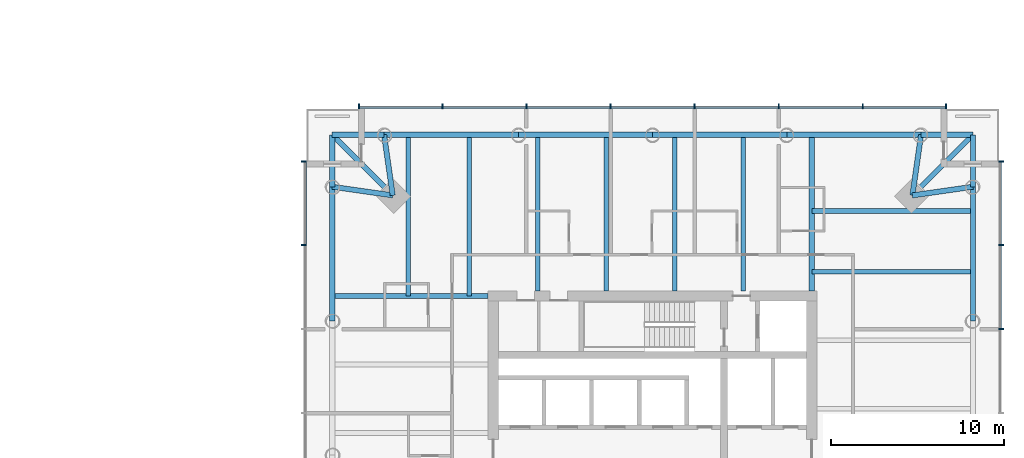
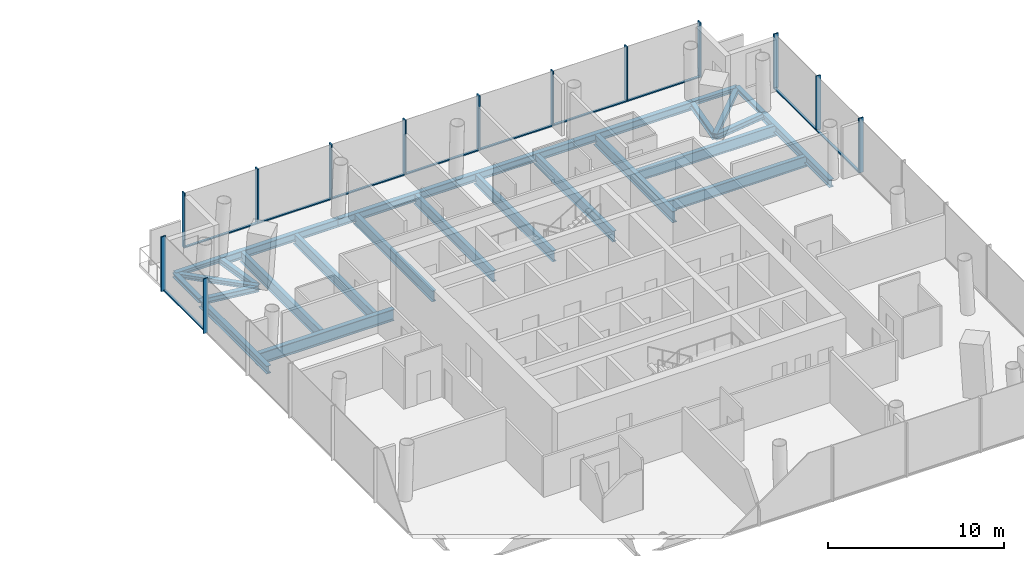
# One storey, part 7 of 21: 26 beams, 23 members, 3 elements without a shape of their own.
"""IFC4 building model written with IfcOpenShell, lengths in metres."""

from ifc_helpers import new_model, si_unit, direction, frame, origin, origin_2d, place, context, subcontext, project, spatial, rectangle, i_section, extrude, material, material_profile, profile_set, type_object, element, aggregate, save


model = new_model("IFC4")

# Units and contexts
model_context = context("Model", 3, precision=1e-05, world=origin(), true_north=direction((0.0, 1.0)))
body_context = subcontext(model_context, "Body", "Model", "MODEL_VIEW")
ifc_project = project(units=[si_unit("LENGTHUNIT", "METRE"), si_unit("AREAUNIT", "SQUARE_METRE"), si_unit("VOLUMEUNIT", "CUBIC_METRE"), si_unit("PLANEANGLEUNIT", "RADIAN"), si_unit("MASSUNIT", "GRAM", prefix="KILO")], contexts=[model_context])

# Site, building, storey
site_placement = place(None, origin())
site = spatial("IfcSite", under=ifc_project, at=site_placement, CompositionType="ELEMENT")
building_placement = place(site_placement, origin())
building = spatial("IfcBuilding", under=site, at=building_placement, Name="Ostroluk Exchange", CompositionType="ELEMENT")
storey_placement = place(building_placement, frame((0.0, 0.0, 32.39990234375)))
storey = spatial("IfcBuildingStorey", under=building, at=storey_placement, Name="L07", CompositionType="ELEMENT", Elevation=32.39990234375)

# Beams
ifc_material_1 = material(Name="Steel S355", Category="steel")
ifc_material_profile_1 = material_profile(ifc_material_1, i_section(OverallWidth=0.300048828125, OverallDepth=0.300048828125, WebThickness=0.010986328125, FlangeThickness=0.01904296875, FilletRadius=0.027099609375, at=origin_2d()), Name="HEB 300")
ifc_profile_set_1 = profile_set([ifc_material_profile_1], Name="Steel S355")
beam_type_1 = type_object("IfcBeamType", Name="Balcony beam HEB 300", PredefinedType="BEAM", material=ifc_profile_set_1)
for number, where, z_axis, x_axis, name in (
    (1, (135.508544921875, 61.508544921875, -0.349853515625), (0.0, 1.0, 0.0), (-1.0, 0.0, 0.0), "T2 east balcony beam a"),
    (2, (132.508544921875, 64.508544921875, -0.349853515625), (1.0, 0.0, 0.0), (0.0, 1.0, 0.0), "T2 east balcony beam b"),
):
    element("IfcBeam", number, at=place(storey_placement, frame(where, z_axis=z_axis, x_axis=x_axis)), inside=storey, type_object=beam_type_1, Name=name, PredefinedType="BEAM", context=body_context, shape_type="SweptSolid", body=[
        extrude(i_section(OverallWidth=0.300048828125, OverallDepth=0.300048828125, WebThickness=0.010986328125, FlangeThickness=0.01904296875, FilletRadius=0.027099609375, at=origin_2d()), origin(), (0.0, 0.0, 1.0), 3.0),
    ])
beam_1_placement = place(storey_placement, frame((132.008544921875, 61.008544921875, -0.349853515625), z_axis=(0.707106781187, 0.707106781187, 0.0), x_axis=(-0.707106781187, 0.707106781187, 0.0)))
element("IfcBeam", 3, at=beam_1_placement, inside=storey, type_object=beam_type_1, Name="T2 east balcony beam c", PredefinedType="BEAM", context=body_context, shape_type="SweptSolid", body=[
    extrude(i_section(OverallWidth=0.300048828125, OverallDepth=0.300048828125, WebThickness=0.010986328125, FlangeThickness=0.01904296875, FilletRadius=0.027099609375, at=origin_2d()), origin(), (0.0, 0.0, 1.0), 4.94970703125),
])
for number, where, z_axis, x_axis, name in (
    (4, (101.491455078125, 64.508544921875, -0.349853515625), (-1.0, 0.0, 0.0), (0.0, -1.0, 0.0), "T2 north balcony beam a"),
    (5, (98.491455078125, 61.508544921875, -0.349853515625), (0.0, 1.0, 0.0), (-1.0, 0.0, 0.0), "T2 north balcony beam b"),
):
    element("IfcBeam", number, at=place(storey_placement, frame(where, z_axis=z_axis, x_axis=x_axis)), inside=storey, type_object=beam_type_1, Name=name, PredefinedType="BEAM", context=body_context, shape_type="SweptSolid", body=[
        extrude(i_section(OverallWidth=0.300048828125, OverallDepth=0.300048828125, WebThickness=0.010986328125, FlangeThickness=0.01904296875, FilletRadius=0.027099609375, at=origin_2d()), origin(), (0.0, 0.0, 1.0), 3.0),
    ])
beam_2_placement = place(storey_placement, frame((101.991455078125, 61.008544921875, -0.349853515625), z_axis=(-0.707106781187, 0.707106781187, 0.0), x_axis=(-0.707106781187, -0.707106781187, 0.0)))
element("IfcBeam", 6, at=beam_2_placement, inside=storey, type_object=beam_type_1, Name="T2 north balcony beam c", PredefinedType="BEAM", context=body_context, shape_type="SweptSolid", body=[
    extrude(i_section(OverallWidth=0.300048828125, OverallDepth=0.300048828125, WebThickness=0.010986328125, FlangeThickness=0.01904296875, FilletRadius=0.027099609375, at=origin_2d()), origin(), (0.0, 0.0, 1.0), 4.94970703125),
])
ifc_material_2 = material(Name="Steel S355", Category="steel")
ifc_material_profile_2 = material_profile(ifc_material_2, i_section(OverallWidth=0.300048828125, OverallDepth=0.39990234375, WebThickness=0.013427734375, FlangeThickness=0.02392578125, FilletRadius=0.027099609375, at=origin_2d()), Name="HEB 400")
ifc_profile_set_2 = profile_set([ifc_material_profile_2], Name="Steel S355")
beam_type_2 = type_object("IfcBeamType", Name="Corner edge beam HEB 400", PredefinedType="SPANDREL", material=ifc_profile_set_2)
for number, where, z_axis, x_axis, name in (
    (7, (132.008544921875, 61.008544921875, -0.39990234375), (0.989949493661, 0.141421356237, 0.0), (-0.141421356237, 0.989949493661, 0.0), "T2 east corner edge beam a"),
    (8, (132.008544921875, 61.008544921875, -0.39990234375), (0.141421356237, 0.989949493661, 0.0), (-0.989949493661, 0.141421356237, 0.0), "T2 east corner edge beam b"),
    (9, (101.991455078125, 61.008544921875, -0.39990234375), (-0.141421356237, 0.989949493661, 0.0), (-0.989949493661, -0.141421356237, 0.0), "T2 north corner edge beam a"),
    (10, (101.991455078125, 61.008544921875, -0.39990234375), (-0.989949493661, 0.141421356237, 0.0), (-0.141421356237, -0.989949493661, 0.0), "T2 north corner edge beam b"),
):
    element("IfcBeam", number, at=place(storey_placement, frame(where, z_axis=z_axis, x_axis=x_axis)), inside=storey, type_object=beam_type_2, Name=name, PredefinedType="SPANDREL", context=body_context, shape_type="SweptSolid", body=[
        extrude(i_section(OverallWidth=0.300048828125, OverallDepth=0.39990234375, WebThickness=0.013427734375, FlangeThickness=0.02392578125, FilletRadius=0.027099609375, at=origin_2d()), origin(), (0.0, 0.0, 1.0), 3.53564453125),
    ])
ifc_material_3 = material(Name="Steel S355", Category="steel")
ifc_material_profile_3 = material_profile(ifc_material_3, i_section(OverallWidth=0.264892578125, OverallDepth=0.7529296875, WebThickness=0.01318359375, FlangeThickness=0.01708984375, FilletRadius=0.01708984375, at=origin_2d()), Name="IPE 750x147")
ifc_profile_set_3 = profile_set([ifc_material_profile_3], Name="Steel S355")
beam_type_3 = type_object("IfcBeamType", Name="Floor beam IPE 750x147", PredefinedType="BEAM", material=ifc_profile_set_3)
for number, where, z_axis, x_axis, name in (
    (11, (126.199951171875, 56.60009765625, -0.576416015625), (1.0, 0.0, 0.0), (0.0, 1.0, 0.0), "T2 east floor beam 5"),
    (12, (126.199951171875, 60.108642578125, -0.576416015625), (1.0, 0.0, 0.0), (0.0, 1.0, 0.0), "T2 east floor beam 6"),
):
    element("IfcBeam", number, at=place(storey_placement, frame(where, z_axis=z_axis, x_axis=x_axis)), inside=storey, type_object=beam_type_3, Name=name, PredefinedType="BEAM", context=body_context, shape_type="SweptSolid", body=[
        extrude(i_section(OverallWidth=0.264892578125, OverallDepth=0.7529296875, WebThickness=0.01318359375, FlangeThickness=0.01708984375, FilletRadius=0.01708984375, at=origin_2d()), origin(), (0.0, 0.0, 1.0), 9.30859375),
    ])
for number, where, z_axis, x_axis, name in (
    (13, (122.24169921875, 55.5, -0.576416015625), (0.0, 1.0, 0.0), (-1.0, 0.0, 0.0), "T2 north floor beam 1"),
    (14, (118.283203125, 55.5, -0.576416015625), (0.0, 1.0, 0.0), (-1.0, 0.0, 0.0), "T2 north floor beam 2"),
    (15, (114.324951171875, 55.5, -0.576416015625), (0.0, 1.0, 0.0), (-1.0, 0.0, 0.0), "T2 north floor beam 3"),
    (16, (110.366455078125, 55.5, -0.576416015625), (0.0, 1.0, 0.0), (-1.0, 0.0, 0.0), "T2 north floor beam 4"),
):
    element("IfcBeam", number, at=place(storey_placement, frame(where, z_axis=z_axis, x_axis=x_axis)), inside=storey, type_object=beam_type_3, Name=name, PredefinedType="BEAM", context=body_context, shape_type="SweptSolid", body=[
        extrude(i_section(OverallWidth=0.264892578125, OverallDepth=0.7529296875, WebThickness=0.01318359375, FlangeThickness=0.01708984375, FilletRadius=0.01708984375, at=origin_2d()), origin(), (0.0, 0.0, 1.0), 9.008544921875),
    ])
for number, where, z_axis, x_axis, name in (
    (17, (106.39990234375, 55.199951171875, -0.576416015625), (0.0, 1.0, 0.0), (-1.0, 0.0, 0.0), "T2 north floor beam 5"),
    (18, (102.891357421875, 55.199951171875, -0.576416015625), (0.0, 1.0, 0.0), (-1.0, 0.0, 0.0), "T2 north floor beam 6"),
):
    element("IfcBeam", number, at=place(storey_placement, frame(where, z_axis=z_axis, x_axis=x_axis)), inside=storey, type_object=beam_type_3, Name=name, PredefinedType="BEAM", context=body_context, shape_type="SweptSolid", body=[
        extrude(i_section(OverallWidth=0.264892578125, OverallDepth=0.7529296875, WebThickness=0.01318359375, FlangeThickness=0.01708984375, FilletRadius=0.01708984375, at=origin_2d()), origin(), (0.0, 0.0, 1.0), 9.30859375),
    ])
ifc_material_4 = material(Name="Steel S355", Category="steel")
ifc_material_profile_4 = material_profile(ifc_material_4, i_section(OverallWidth=0.300048828125, OverallDepth=0.800048828125, WebThickness=0.017578125, FlangeThickness=0.032958984375, FilletRadius=0.030029296875, at=origin_2d()), Name="HEB 800")
ifc_profile_set_4 = profile_set([ifc_material_profile_4], Name="Steel S355")
beam_type_4 = type_object("IfcBeamType", Name="Girder HEB 800", PredefinedType="BEAM", material=ifc_profile_set_4)
for number, where, z_axis, x_axis, name in (
    (19, (126.199951171875, 55.5, -0.599853515625), (0.0, 1.0, 0.0), (-1.0, 0.0, 0.0), "T2 east girder"),
    (20, (107.5, 55.199951171875, -0.599853515625), (-1.0, 0.0, 0.0), (0.0, -1.0, 0.0), "T2 north girder"),
):
    element("IfcBeam", number, at=place(storey_placement, frame(where, z_axis=z_axis, x_axis=x_axis)), inside=storey, type_object=beam_type_4, Name=name, PredefinedType="BEAM", context=body_context, shape_type="SweptSolid", body=[
        extrude(i_section(OverallWidth=0.300048828125, OverallDepth=0.800048828125, WebThickness=0.017578125, FlangeThickness=0.032958984375, FilletRadius=0.030029296875, at=origin_2d()), origin(), (0.0, 0.0, 1.0), 9.008544921875),
    ])
ifc_material_5 = material(Name="Steel S355", Category="steel")
ifc_material_profile_5 = material_profile(ifc_material_5, i_section(OverallWidth=0.300048828125, OverallDepth=0.550048828125, WebThickness=0.014892578125, FlangeThickness=0.029052734375, FilletRadius=0.027099609375, at=origin_2d()), Name="HEB 550")
ifc_profile_set_5 = profile_set([ifc_material_profile_5], Name="Steel S355")
beam_type_5 = type_object("IfcBeamType", Name="Moment-connected edge beam HEB 550", PredefinedType="SPANDREL", material=ifc_profile_set_5)
for number, where, z_axis, x_axis, name in (
    (21, (135.508544921875, 53.75439453125, -0.474853515625), (0.0, 1.0, 0.0), (-1.0, 0.0, 0.0), "T2 east edge beam 4"),
    (22, (132.508544921875, 64.508544921875, -0.474853515625), (-1.0, 0.0, 0.0), (0.0, -1.0, 0.0), "T2 north edge beam 1"),
):
    element("IfcBeam", number, at=place(storey_placement, frame(where, z_axis=z_axis, x_axis=x_axis)), inside=storey, type_object=beam_type_5, Name=name, PredefinedType="SPANDREL", context=body_context, shape_type="SweptSolid", body=[
        extrude(i_section(OverallWidth=0.300048828125, OverallDepth=0.550048828125, WebThickness=0.014892578125, FlangeThickness=0.029052734375, FilletRadius=0.027099609375, at=origin_2d()), origin(), (0.0, 0.0, 1.0), 7.754150390625),
    ])
for number, where, z_axis, x_axis, name in (
    (23, (124.75439453125, 64.508544921875, -0.474853515625), (-1.0, 0.0, 0.0), (0.0, -1.0, 0.0), "T2 north edge beam 2"),
    (24, (117.0, 64.508544921875, -0.474853515625), (-1.0, 0.0, 0.0), (0.0, -1.0, 0.0), "T2 north edge beam 3"),
):
    element("IfcBeam", number, at=place(storey_placement, frame(where, z_axis=z_axis, x_axis=x_axis)), inside=storey, type_object=beam_type_5, Name=name, PredefinedType="SPANDREL", context=body_context, shape_type="SweptSolid", body=[
        extrude(i_section(OverallWidth=0.300048828125, OverallDepth=0.550048828125, WebThickness=0.014892578125, FlangeThickness=0.029052734375, FilletRadius=0.027099609375, at=origin_2d()), origin(), (0.0, 0.0, 1.0), 7.75439453125),
    ])
for number, where, z_axis, x_axis, name in (
    (25, (109.24560546875, 64.508544921875, -0.474853515625), (-1.0, 0.0, 0.0), (0.0, -1.0, 0.0), "T2 north edge beam 4"),
    (26, (98.491455078125, 61.508544921875, -0.474853515625), (0.0, -1.0, 0.0), (1.0, 0.0, 0.0), "T2 west edge beam 1"),
):
    element("IfcBeam", number, at=place(storey_placement, frame(where, z_axis=z_axis, x_axis=x_axis)), inside=storey, type_object=beam_type_5, Name=name, PredefinedType="SPANDREL", context=body_context, shape_type="SweptSolid", body=[
        extrude(i_section(OverallWidth=0.300048828125, OverallDepth=0.550048828125, WebThickness=0.014892578125, FlangeThickness=0.029052734375, FilletRadius=0.027099609375, at=origin_2d()), origin(), (0.0, 0.0, 1.0), 7.754150390625),
    ])

# Curtain wall, members
ifc_material_6 = material(Name="Laminated clear glass", Category="glass")
curtain_wall_type = type_object("IfcCurtainWallType", Name="Hotel guest floor facade", PredefinedType="USERDEFINED", material=ifc_material_6)
curtain_wall_1_placement = place(storey_placement, origin())
curtain_wall_1 = element("IfcCurtainWall", 27, at=curtain_wall_1_placement, inside=storey, type_object=curtain_wall_type, Name="Hotel tower east facade L07", ObjectType="UNITISED CURTAIN WALL", PredefinedType="USERDEFINED")
ifc_material_7 = material(Name="Aluminium mullion", Category="aluminium")
ifc_material_profile_6 = material_profile(ifc_material_7, rectangle(XDim=0.14990234375, YDim=0.080078125, at=origin_2d()), Name="Sill transom 80 x 150")
ifc_profile_set_6 = profile_set([ifc_material_profile_6], Name="Aluminium mullion")
member_type_1 = type_object("IfcMemberType", Name="Sill transom 80 x 150", PredefinedType="USERDEFINED", material=ifc_profile_set_6)
member_1_placement = place(storey_placement, frame((137.074951171875, 53.32568359375, 0.0400390625), z_axis=(0.0, 1.0, 0.0), x_axis=(-1.0, 0.0, 0.0)))
member_1 = element("IfcMember", 28, at=member_1_placement, type_object=member_type_1, Name="CW-H1 transom 6.1", ObjectType="TRANSOM", PredefinedType="USERDEFINED", context=body_context, shape_type="SweptSolid", body=[
    extrude(rectangle(XDim=0.14990234375, YDim=0.080078125, at=origin_2d()), origin(), (0.0, 0.0, 1.0), 4.777099609375),
])
member_2_placement = place(storey_placement, frame((137.074951171875, 58.182861328125, 0.0400390625), z_axis=(0.0, 1.0, 0.0), x_axis=(-1.0, 0.0, 0.0)))
member_2 = element("IfcMember", 29, at=member_2_placement, type_object=member_type_1, Name="CW-H1 transom 7.1", ObjectType="TRANSOM", PredefinedType="USERDEFINED", context=body_context, shape_type="SweptSolid", body=[
    extrude(rectangle(XDim=0.14990234375, YDim=0.080078125, at=origin_2d()), origin(), (0.0, 0.0, 1.0), 4.737060546875),
])

curtain_wall_2_placement = place(storey_placement, origin())
curtain_wall_2 = element("IfcCurtainWall", 30, at=curtain_wall_2_placement, inside=storey, type_object=curtain_wall_type, Name="Hotel tower north facade L07", ObjectType="UNITISED CURTAIN WALL", PredefinedType="USERDEFINED")
member_3_placement = place(storey_placement, frame((133.919921875, 66.074951171875, 0.0400390625), z_axis=(-1.0, 0.0, 0.0), x_axis=(0.0, -1.0, 0.0)))
member_3 = element("IfcMember", 31, at=member_3_placement, type_object=member_type_1, Name="CW-H1 transom 1.1", ObjectType="TRANSOM", PredefinedType="USERDEFINED", context=body_context, shape_type="SweptSolid", body=[
    extrude(rectangle(XDim=0.14990234375, YDim=0.080078125, at=origin_2d()), origin(), (0.0, 0.0, 1.0), 4.737060546875),
])
member_4_placement = place(storey_placement, frame((129.102783203125, 66.074951171875, 0.0400390625), z_axis=(-1.0, 0.0, 0.0), x_axis=(0.0, -1.0, 0.0)))
member_4 = element("IfcMember", 32, at=member_4_placement, type_object=member_type_1, Name="CW-H1 transom 2.1", ObjectType="TRANSOM", PredefinedType="USERDEFINED", context=body_context, shape_type="SweptSolid", body=[
    extrude(rectangle(XDim=0.14990234375, YDim=0.080078125, at=origin_2d()), origin(), (0.0, 0.0, 1.0), 4.777099609375),
])
member_5_placement = place(storey_placement, frame((124.24560546875, 66.074951171875, 0.0400390625), z_axis=(-1.0, 0.0, 0.0), x_axis=(0.0, -1.0, 0.0)))
member_5 = element("IfcMember", 33, at=member_5_placement, type_object=member_type_1, Name="CW-H1 transom 3.1", ObjectType="TRANSOM", PredefinedType="USERDEFINED", context=body_context, shape_type="SweptSolid", body=[
    extrude(rectangle(XDim=0.14990234375, YDim=0.080078125, at=origin_2d()), origin(), (0.0, 0.0, 1.0), 4.777099609375),
])
member_6_placement = place(storey_placement, frame((119.388671875, 66.074951171875, 0.0400390625), z_axis=(-1.0, 0.0, 0.0), x_axis=(0.0, -1.0, 0.0)))
member_6 = element("IfcMember", 34, at=member_6_placement, type_object=member_type_1, Name="CW-H1 transom 4.1", ObjectType="TRANSOM", PredefinedType="USERDEFINED", context=body_context, shape_type="SweptSolid", body=[
    extrude(rectangle(XDim=0.14990234375, YDim=0.080078125, at=origin_2d()), origin(), (0.0, 0.0, 1.0), 4.77734375),
])
member_7_placement = place(storey_placement, frame((114.531494140625, 66.074951171875, 0.0400390625), z_axis=(-1.0, 0.0, 0.0), x_axis=(0.0, -1.0, 0.0)))
member_7 = element("IfcMember", 35, at=member_7_placement, type_object=member_type_1, Name="CW-H1 transom 5.1", ObjectType="TRANSOM", PredefinedType="USERDEFINED", context=body_context, shape_type="SweptSolid", body=[
    extrude(rectangle(XDim=0.14990234375, YDim=0.080078125, at=origin_2d()), origin(), (0.0, 0.0, 1.0), 4.777099609375),
])
member_8_placement = place(storey_placement, frame((109.67431640625, 66.074951171875, 0.0400390625), z_axis=(-1.0, 0.0, 0.0), x_axis=(0.0, -1.0, 0.0)))
member_8 = element("IfcMember", 36, at=member_8_placement, type_object=member_type_1, Name="CW-H1 transom 6.1", ObjectType="TRANSOM", PredefinedType="USERDEFINED", context=body_context, shape_type="SweptSolid", body=[
    extrude(rectangle(XDim=0.14990234375, YDim=0.080078125, at=origin_2d()), origin(), (0.0, 0.0, 1.0), 4.777099609375),
])
member_9_placement = place(storey_placement, frame((104.817138671875, 66.074951171875, 0.0400390625), z_axis=(-1.0, 0.0, 0.0), x_axis=(0.0, -1.0, 0.0)))
member_9 = element("IfcMember", 37, at=member_9_placement, type_object=member_type_1, Name="CW-H1 transom 7.1", ObjectType="TRANSOM", PredefinedType="USERDEFINED", context=body_context, shape_type="SweptSolid", body=[
    extrude(rectangle(XDim=0.14990234375, YDim=0.080078125, at=origin_2d()), origin(), (0.0, 0.0, 1.0), 4.737060546875),
])

# Curtain wall, member
curtain_wall_3_placement = place(storey_placement, origin())
curtain_wall_3 = element("IfcCurtainWall", 38, at=curtain_wall_3_placement, inside=storey, type_object=curtain_wall_type, Name="Hotel tower west facade L07", ObjectType="UNITISED CURTAIN WALL", PredefinedType="USERDEFINED")
member_10_placement = place(storey_placement, frame((96.925048828125, 62.919921875, 0.0400390625), z_axis=(0.0, -1.0, 0.0), x_axis=(1.0, 0.0, 0.0)))
member_10 = element("IfcMember", 39, at=member_10_placement, type_object=member_type_1, Name="CW-H1 transom 1.1", ObjectType="TRANSOM", PredefinedType="USERDEFINED", context=body_context, shape_type="SweptSolid", body=[
    extrude(rectangle(XDim=0.14990234375, YDim=0.080078125, at=origin_2d()), origin(), (0.0, 0.0, 1.0), 4.737060546875),
])

# Member
ifc_material_8 = material(Name="Aluminium mullion with limestone facing", Category="masonry")
ifc_material_profile_7 = material_profile(ifc_material_8, rectangle(XDim=0.300048828125, YDim=0.080078125, at=origin_2d()), Name="Tracery mullion 80 x 300")
ifc_profile_set_7 = profile_set([ifc_material_profile_7], Name="Aluminium mullion with limestone facing")
member_type_2 = type_object("IfcMemberType", Name="Tracery mullion 80 x 300", PredefinedType="MULLION", material=ifc_profile_set_7)
member_11_placement = place(storey_placement, frame((137.14990234375, 53.28564453125, 0.0), z_axis=(0.0, 0.0, 1.0), x_axis=(-1.0, 0.0, 0.0)))
member_11 = element("IfcMember", 40, at=member_11_placement, type_object=member_type_2, Name="CW-H1 mullion 6", PredefinedType="MULLION", context=body_context, shape_type="SweptSolid", body=[
    extrude(rectangle(XDim=0.300048828125, YDim=0.080078125, at=origin_2d()), origin(), (0.0, 0.0, 1.0), 3.800048828125),
])

member_12_placement = place(storey_placement, frame((137.14990234375, 58.142822265625, 0.0), z_axis=(0.0, 0.0, 1.0), x_axis=(-1.0, 0.0, 0.0)))
member_12 = element("IfcMember", 41, at=member_12_placement, type_object=member_type_2, Name="CW-H1 mullion 7", PredefinedType="MULLION", context=body_context, shape_type="SweptSolid", body=[
    extrude(rectangle(XDim=0.300048828125, YDim=0.080078125, at=origin_2d()), origin(), (0.0, 0.0, 1.0), 3.800048828125),
])

member_13_placement = place(storey_placement, frame((137.14990234375, 62.9599609375, 0.0), z_axis=(0.0, 0.0, 1.0), x_axis=(-1.0, 0.0, 0.0)))
member_13 = element("IfcMember", 42, at=member_13_placement, type_object=member_type_2, Name="CW-H1 mullion 8", PredefinedType="MULLION", context=body_context, shape_type="SweptSolid", body=[
    extrude(rectangle(XDim=0.300048828125, YDim=0.080078125, at=origin_2d()), origin(), (0.0, 0.0, 1.0), 3.800048828125),
])

aggregate(curtain_wall_1, [member_11, member_12, member_13, member_1, member_2])

member_14_placement = place(storey_placement, frame((133.9599609375, 66.14990234375, 0.0), z_axis=(0.0, 0.0, 1.0), x_axis=(0.0, -1.0, 0.0)))
member_14 = element("IfcMember", 43, at=member_14_placement, type_object=member_type_2, Name="CW-H1 mullion 1", PredefinedType="MULLION", context=body_context, shape_type="SweptSolid", body=[
    extrude(rectangle(XDim=0.300048828125, YDim=0.080078125, at=origin_2d()), origin(), (0.0, 0.0, 1.0), 3.800048828125),
])

member_15_placement = place(storey_placement, frame((129.142822265625, 66.14990234375, 0.0), z_axis=(0.0, 0.0, 1.0), x_axis=(0.0, -1.0, 0.0)))
member_15 = element("IfcMember", 44, at=member_15_placement, type_object=member_type_2, Name="CW-H1 mullion 2", PredefinedType="MULLION", context=body_context, shape_type="SweptSolid", body=[
    extrude(rectangle(XDim=0.300048828125, YDim=0.080078125, at=origin_2d()), origin(), (0.0, 0.0, 1.0), 3.800048828125),
])

member_16_placement = place(storey_placement, frame((124.28564453125, 66.14990234375, 0.0), z_axis=(0.0, 0.0, 1.0), x_axis=(0.0, -1.0, 0.0)))
member_16 = element("IfcMember", 45, at=member_16_placement, type_object=member_type_2, Name="CW-H1 mullion 3", PredefinedType="MULLION", context=body_context, shape_type="SweptSolid", body=[
    extrude(rectangle(XDim=0.300048828125, YDim=0.080078125, at=origin_2d()), origin(), (0.0, 0.0, 1.0), 3.800048828125),
])

member_17_placement = place(storey_placement, frame((119.428466796875, 66.14990234375, 0.0), z_axis=(0.0, 0.0, 1.0), x_axis=(0.0, -1.0, 0.0)))
member_17 = element("IfcMember", 46, at=member_17_placement, type_object=member_type_2, Name="CW-H1 mullion 4", PredefinedType="MULLION", context=body_context, shape_type="SweptSolid", body=[
    extrude(rectangle(XDim=0.300048828125, YDim=0.080078125, at=origin_2d()), origin(), (0.0, 0.0, 1.0), 3.800048828125),
])

member_18_placement = place(storey_placement, frame((114.571533203125, 66.14990234375, 0.0), z_axis=(0.0, 0.0, 1.0), x_axis=(0.0, -1.0, 0.0)))
member_18 = element("IfcMember", 47, at=member_18_placement, type_object=member_type_2, Name="CW-H1 mullion 5", PredefinedType="MULLION", context=body_context, shape_type="SweptSolid", body=[
    extrude(rectangle(XDim=0.300048828125, YDim=0.080078125, at=origin_2d()), origin(), (0.0, 0.0, 1.0), 3.800048828125),
])

member_19_placement = place(storey_placement, frame((109.71435546875, 66.14990234375, 0.0), z_axis=(0.0, 0.0, 1.0), x_axis=(0.0, -1.0, 0.0)))
member_19 = element("IfcMember", 48, at=member_19_placement, type_object=member_type_2, Name="CW-H1 mullion 6", PredefinedType="MULLION", context=body_context, shape_type="SweptSolid", body=[
    extrude(rectangle(XDim=0.300048828125, YDim=0.080078125, at=origin_2d()), origin(), (0.0, 0.0, 1.0), 3.800048828125),
])

member_20_placement = place(storey_placement, frame((104.857177734375, 66.14990234375, 0.0), z_axis=(0.0, 0.0, 1.0), x_axis=(0.0, -1.0, 0.0)))
member_20 = element("IfcMember", 49, at=member_20_placement, type_object=member_type_2, Name="CW-H1 mullion 7", PredefinedType="MULLION", context=body_context, shape_type="SweptSolid", body=[
    extrude(rectangle(XDim=0.300048828125, YDim=0.080078125, at=origin_2d()), origin(), (0.0, 0.0, 1.0), 3.800048828125),
])

member_21_placement = place(storey_placement, frame((100.0400390625, 66.14990234375, 0.0), z_axis=(0.0, 0.0, 1.0), x_axis=(0.0, -1.0, 0.0)))
member_21 = element("IfcMember", 50, at=member_21_placement, type_object=member_type_2, Name="CW-H1 mullion 8", PredefinedType="MULLION", context=body_context, shape_type="SweptSolid", body=[
    extrude(rectangle(XDim=0.300048828125, YDim=0.080078125, at=origin_2d()), origin(), (0.0, 0.0, 1.0), 3.800048828125),
])

aggregate(curtain_wall_2, [member_14, member_15, member_16, member_17, member_18, member_19, member_20, member_21, member_3, member_4, member_5, member_6, member_7, member_8, member_9])

member_22_placement = place(storey_placement, frame((96.85009765625, 62.9599609375, 0.0), z_axis=(0.0, 0.0, 1.0), x_axis=(1.0, 0.0, 0.0)))
member_22 = element("IfcMember", 51, at=member_22_placement, type_object=member_type_2, Name="CW-H1 mullion 1", PredefinedType="MULLION", context=body_context, shape_type="SweptSolid", body=[
    extrude(rectangle(XDim=0.300048828125, YDim=0.080078125, at=origin_2d()), origin(), (0.0, 0.0, 1.0), 3.800048828125),
])

member_23_placement = place(storey_placement, frame((96.85009765625, 58.142822265625, 0.0), z_axis=(0.0, 0.0, 1.0), x_axis=(1.0, 0.0, 0.0)))
member_23 = element("IfcMember", 52, at=member_23_placement, type_object=member_type_2, Name="CW-H1 mullion 2", PredefinedType="MULLION", context=body_context, shape_type="SweptSolid", body=[
    extrude(rectangle(XDim=0.300048828125, YDim=0.080078125, at=origin_2d()), origin(), (0.0, 0.0, 1.0), 3.800048828125),
])

aggregate(curtain_wall_3, [member_22, member_23, member_10])

save(model, "model.ifc")
